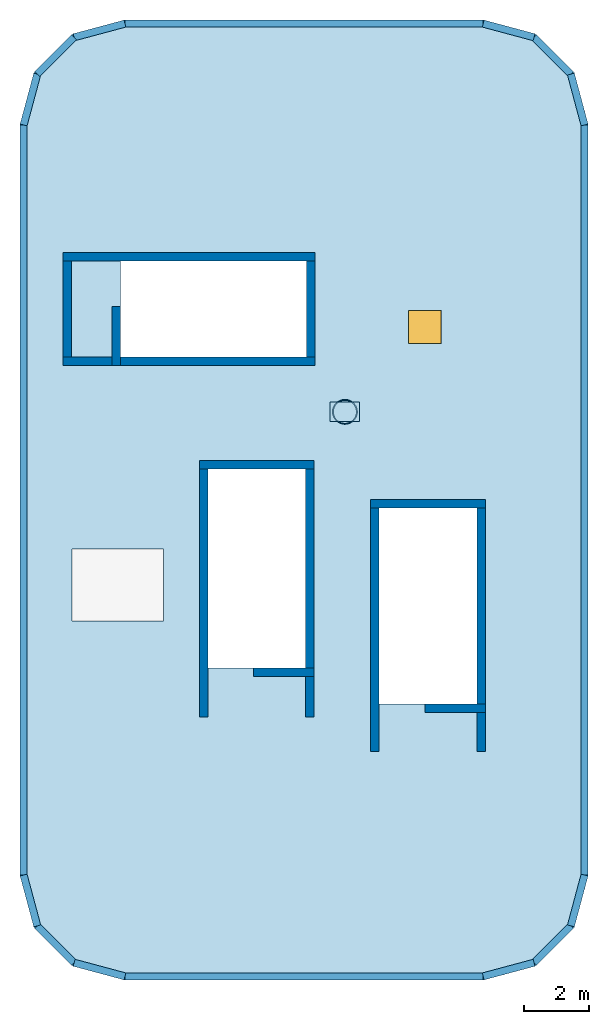
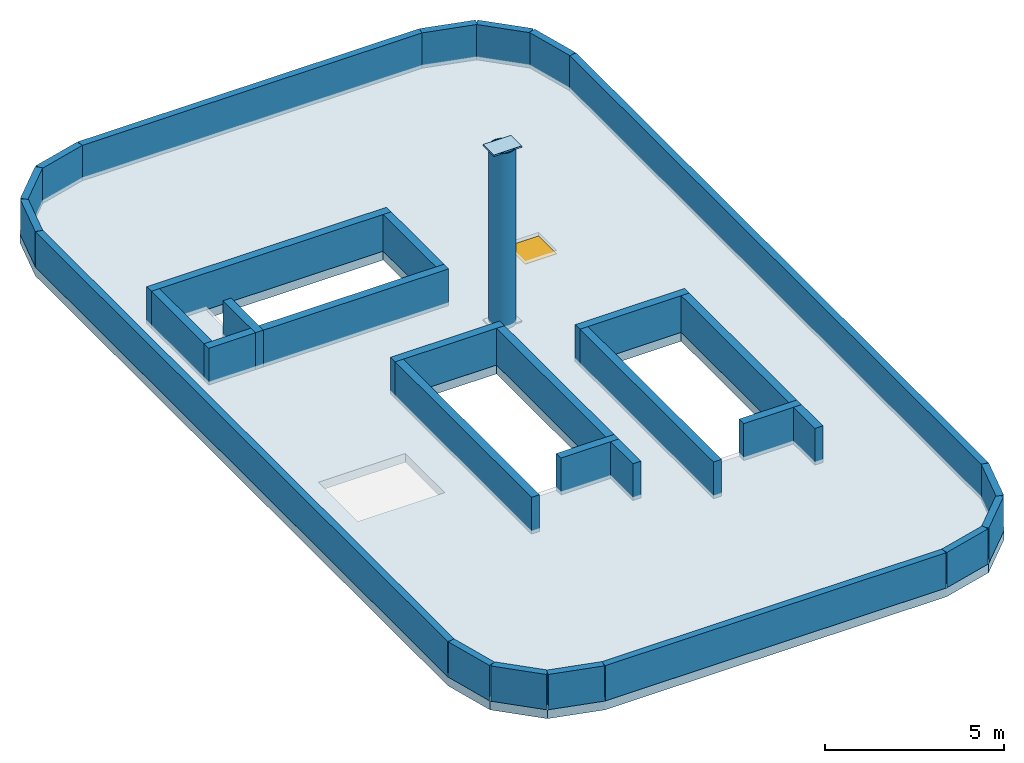
# One storey, part 1 of 2: 29 walls, 2 plates, 1 door, 1 member, 1 slab, 1 opening.
"""IFC4 building model written with IfcOpenShell, lengths in metres."""

from ifc_helpers import new_model, si_unit, direction, frame, frame_2d, origin, origin_2d, place, context, subcontext, project, spatial, polyline, rectangle, hollow_circle, outline, extrude, material, layer, layer_set, material_profile, profile_set, type_object, element, fill, save


model = new_model("IFC4")

# Units and contexts
model_context = context("Model", 3, precision=1e-05, world=origin(), true_north=direction((0.0, 1.0)))
body_context = subcontext(model_context, "Body", "Model", "MODEL_VIEW")
ifc_project = project(units=[si_unit("LENGTHUNIT", "METRE"), si_unit("AREAUNIT", "SQUARE_METRE"), si_unit("VOLUMEUNIT", "CUBIC_METRE"), si_unit("PLANEANGLEUNIT", "RADIAN"), si_unit("MASSUNIT", "GRAM", prefix="KILO")], contexts=[model_context])

# Site, building, storey
site_placement = place(None, origin())
site = spatial("IfcSite", under=ifc_project, at=site_placement, CompositionType="ELEMENT")
building_placement = place(site_placement, origin())
building = spatial("IfcBuilding", under=site, at=building_placement, Name="Kiyonajd Concourse Tower", CompositionType="ELEMENT")
storey_placement = place(building_placement, frame((0.0, 0.0, 377.10009765625)))
storey = spatial("IfcBuildingStorey", under=building, at=storey_placement, Name="ROOF", CompositionType="ELEMENT", Elevation=377.10009765625)

# Member
ifc_material_1 = material(Name="Steel ASTM A572 Grade 50", Category="steel")
ifc_material_profile = material_profile(ifc_material_1, hollow_circle(Radius=0.381103515625, WallThickness=0.028076171875, at=origin_2d()), Name="CHS-762x28")
ifc_profile_set = profile_set([ifc_material_profile], Name="Steel ASTM A572 Grade 50")
member_type = type_object("IfcMemberType", Name="MB-SPIRE-MST", PredefinedType="USERDEFINED", material=ifc_profile_set)
member_placement = place(storey_placement, frame((63.35009765625, 38.39990234375, 0.0), z_axis=(0.0, 0.0, 1.0), x_axis=(1.0, 0.0, 0.0)))
element("IfcMember", 1, at=member_placement, inside=storey, type_object=member_type, Name="Architectural Crown Mast SL1", ObjectType="MAST", PredefinedType="USERDEFINED", context=body_context, shape_type="SweptSolid", body=[
    extrude(hollow_circle(Radius=0.381103515625, WallThickness=0.028076171875, at=origin_2d()), origin(), (0.0, 0.0, 1.0), 5.974853515625),
])

# Plates
ifc_layer_1 = layer(ifc_material_1, 0.050048828125)
ifc_layer_set_1 = layer_set([ifc_layer_1], Name="Steel ASTM A572 Grade 50")
plate_type = type_object("IfcPlateType", Name="PL-BASE-900", PredefinedType="SHEET", material=ifc_layer_set_1)
for number, where, z_axis, x_axis, name in (
    (2, (63.35009765625, 38.39990234375, 0.0), (0.0, 0.0, 1.0), (1.0, 0.0, 0.0), "Spire Mast SL1 Anchor Base Plate"),
    (3, (63.35009765625, 38.39990234375, 5.94970703125), (0.0, 0.0, 1.0), (1.0, 0.0, 0.0), "Spire Mast SL1 Top Seal Cap Plate"),
):
    element("IfcPlate", number, at=place(storey_placement, frame(where, z_axis=z_axis, x_axis=x_axis)), inside=storey, type_object=plate_type, Name=name, PredefinedType="SHEET", context=body_context, shape_type="SweptSolid", body=[
        extrude(rectangle(XDim=0.89990234375, YDim=0.60009765625, at=origin_2d()), origin(), (0.0, 0.0, 1.0), 0.050048828125),
    ])

# Slab, opening, door
ifc_material_2 = material(Name="Concrete C40/50", Category="concrete")
ifc_layer_2 = layer(ifc_material_2, 0.300048828125)
ifc_layer_set_2 = layer_set([ifc_layer_2], Name="Concrete C40/50")
slab_type = type_object("IfcSlabType", Name="SL-ROOF-300", PredefinedType="ROOF", material=ifc_layer_set_2)
slab_placement = place(storey_placement, frame((0.0, 0.0, -0.300048828125)))
slab = element("IfcSlab", 4, at=slab_placement, inside=storey, type_object=slab_type, Name="ROOF East Crown Main Roof Slab", PredefinedType="ROOF", context=body_context, shape_type="SweptSolid", body=[
    extrude(outline(polyline([(53.39990234375, 24.199951171875), (53.8291015625, 22.60009765625), (55.0, 21.428955078125), (56.60009765625, 21.0), (67.60009765625, 21.0), (69.199951171875, 21.428955078125), (70.37109375, 22.60009765625), (70.800048828125, 24.199951171875), (70.800048828125, 47.199951171875), (70.37109375, 48.800048828125), (69.199951171875, 49.970947265625), (67.60009765625, 50.39990234375), (56.60009765625, 50.39990234375), (55.0, 49.970947265625), (53.8291015625, 48.800048828125), (53.39990234375, 47.199951171875), (53.39990234375, 24.199951171875)]), holes=[polyline([(59.14990234375, 30.550048828125), (59.14990234375, 36.64990234375), (62.14990234375, 36.64990234375), (62.14990234375, 30.550048828125), (59.14990234375, 30.550048828125)]), polyline([(56.47998046875, 43.02001953125), (62.179931640625, 43.02001953125), (62.179931640625, 40.080078125), (56.47998046875, 40.080078125), (56.47998046875, 43.02001953125)]), polyline([(64.39990234375, 29.449951171875), (64.39990234375, 35.449951171875), (67.39990234375, 35.449951171875), (67.39990234375, 29.449951171875), (64.39990234375, 29.449951171875)]), polyline([(55.0, 32.0), (55.0, 34.199951171875), (57.800048828125, 34.199951171875), (57.800048828125, 32.0), (55.0, 32.0)]), polyline([(65.300048828125, 40.5), (66.300048828125, 40.5), (66.300048828125, 41.5), (65.300048828125, 41.5), (65.300048828125, 40.5)])]), origin(), (0.0, 0.0, 1.0), 0.300048828125),
])
opening_placement = place(slab_placement, frame((65.800048828125, 41.0, 0.0)))
opening = element("IfcOpeningElement", 5, at=opening_placement, cuts=slab, Name="Opening RHT1", PredefinedType="OPENING", context=body_context, shape_type="SweptSolid", body=[
    extrude(rectangle(XDim=1.00390625, YDim=1.00390625, at=origin_2d()), frame((0.0, 0.0, -0.010009765625)), (0.0, 0.0, 1.0), 0.320068359375),
])
ifc_material_3 = material(Name="Thermally Broken Anodised Aluminium", Category="aluminium")
door_type = type_object("IfcDoorType", Name="DR-HATCH-RHT1", OperationType="NOTDEFINED", PredefinedType="TRAPDOOR", material=ifc_material_3)
door_placement = place(opening_placement, frame((0.0, 0.0, 0.25)))
door = element("IfcDoor", 6, at=door_placement, inside=storey, type_object=door_type, Name="ROOF East Crown Roof Access Hatch RHT1", OperationType="SINGLE_SWING_LEFT", OverallHeight=1.0, OverallWidth=1.0, PredefinedType="TRAPDOOR", context=body_context, shape_type="SweptSolid", body=[
    extrude(rectangle(XDim=1.0, YDim=1.0, at=origin_2d()), origin(), (0.0, 0.0, 1.0), 0.050048828125),
])
fill(opening, door)

# Walls
ifc_material_4 = material(Name="Precast concrete C50/60", Category="concrete")
ifc_layer_3 = layer(ifc_material_4, 0.219970703125)
ifc_layer_set_3 = layer_set([ifc_layer_3], Name="Precast concrete C50/60")
wall_type_1 = type_object("IfcWallType", Name="WL-PAR-220", PredefinedType="PARAPET", material=ifc_layer_set_3)
wall_1_placement = place(storey_placement, frame((53.510009765625, 24.214599609375, 0.0), z_axis=(0.0, 0.0, 1.0), x_axis=(0.0, 1.0, 0.0)))
element("IfcWall", 7, at=wall_1_placement, inside=storey, type_object=wall_type_1, Name="ROOF Roof Parapet Wall 01", PredefinedType="PARAPET", context=body_context, shape_type="SweptSolid", body=[
    extrude(rectangle(XDim=22.970947265625, YDim=0.219970703125, at=frame_2d((11.4853515625, 0.0))), origin(), (0.0, 0.0, 1.0), 1.199951171875),
])
wall_2_placement = place(storey_placement, frame((53.510009765625, 47.185546875, 0.0), z_axis=(0.0, 0.0, 1.0), x_axis=(0.258887433163, 0.965907499169, 0.0)))
element("IfcWall", 8, at=wall_2_placement, inside=storey, type_object=wall_type_1, Name="ROOF Roof Parapet Wall 02", PredefinedType="PARAPET", context=body_context, shape_type="SweptSolid", body=[
    extrude(rectangle(XDim=1.612548828125, YDim=0.219970703125, at=frame_2d((0.80615234375, 0.0))), origin(), (0.0, 0.0, 1.0), 1.199951171875),
])
wall_3_placement = place(storey_placement, frame((53.927490234375, 48.7431640625, 0.0), z_axis=(0.0, 0.0, 1.0), x_axis=(0.707183212768, 0.707030341343, 0.0)))
element("IfcWall", 9, at=wall_3_placement, inside=storey, type_object=wall_type_1, Name="ROOF Roof Parapet Wall 03", PredefinedType="PARAPET", context=body_context, shape_type="SweptSolid", body=[
    extrude(rectangle(XDim=1.596923828125, YDim=0.219970703125, at=frame_2d((0.79833984375, 0.0))), origin(), (0.0, 0.0, 1.0), 1.199951171875),
])
wall_4_placement = place(storey_placement, frame((55.056884765625, 49.872314453125, 0.0), z_axis=(0.0, 0.0, 1.0), x_axis=(0.965869632003, 0.259028674037, 0.0)))
element("IfcWall", 10, at=wall_4_placement, inside=storey, type_object=wall_type_1, Name="ROOF Roof Parapet Wall 04", PredefinedType="PARAPET", context=body_context, shape_type="SweptSolid", body=[
    extrude(rectangle(XDim=1.612548828125, YDim=0.219970703125, at=frame_2d((0.80615234375, 0.0))), origin(), (0.0, 0.0, 1.0), 1.199951171875),
])
wall_5_placement = place(storey_placement, frame((56.614501953125, 50.2900390625, 0.0), z_axis=(0.0, 0.0, 1.0), x_axis=(1.0, 0.0, 0.0)))
element("IfcWall", 11, at=wall_5_placement, inside=storey, type_object=wall_type_1, Name="ROOF Roof Parapet Wall 05", PredefinedType="PARAPET", context=body_context, shape_type="SweptSolid", body=[
    extrude(rectangle(XDim=10.970947265625, YDim=0.219970703125, at=frame_2d((5.4853515625, 0.0))), origin(), (0.0, 0.0, 1.0), 1.199951171875),
])
wall_6_placement = place(storey_placement, frame((67.58544921875, 50.2900390625, 0.0), z_axis=(0.0, 0.0, 1.0), x_axis=(0.965869632003, -0.259028674037, 0.0)))
element("IfcWall", 12, at=wall_6_placement, inside=storey, type_object=wall_type_1, Name="ROOF Roof Parapet Wall 06", PredefinedType="PARAPET", context=body_context, shape_type="SweptSolid", body=[
    extrude(rectangle(XDim=1.612548828125, YDim=0.219970703125, at=frame_2d((0.80615234375, 0.0))), origin(), (0.0, 0.0, 1.0), 1.199951171875),
])
wall_7_placement = place(storey_placement, frame((69.14306640625, 49.872314453125, 0.0), z_axis=(0.0, 0.0, 1.0), x_axis=(0.707183212768, -0.707030341343, 0.0)))
element("IfcWall", 13, at=wall_7_placement, inside=storey, type_object=wall_type_1, Name="ROOF Roof Parapet Wall 07", PredefinedType="PARAPET", context=body_context, shape_type="SweptSolid", body=[
    extrude(rectangle(XDim=1.596923828125, YDim=0.219970703125, at=frame_2d((0.79833984375, 0.0))), origin(), (0.0, 0.0, 1.0), 1.199951171875),
])
wall_8_placement = place(storey_placement, frame((70.2724609375, 48.7431640625, 0.0), z_axis=(0.0, 0.0, 1.0), x_axis=(0.258887433163, -0.965907499169, 0.0)))
element("IfcWall", 14, at=wall_8_placement, inside=storey, type_object=wall_type_1, Name="ROOF Roof Parapet Wall 08", PredefinedType="PARAPET", context=body_context, shape_type="SweptSolid", body=[
    extrude(rectangle(XDim=1.612548828125, YDim=0.219970703125, at=frame_2d((0.80615234375, 0.0))), origin(), (0.0, 0.0, 1.0), 1.199951171875),
])
wall_9_placement = place(storey_placement, frame((70.68994140625, 47.185546875, 0.0), z_axis=(0.0, 0.0, 1.0), x_axis=(0.0, -1.0, 0.0)))
element("IfcWall", 15, at=wall_9_placement, inside=storey, type_object=wall_type_1, Name="ROOF Roof Parapet Wall 09", PredefinedType="PARAPET", context=body_context, shape_type="SweptSolid", body=[
    extrude(rectangle(XDim=22.970947265625, YDim=0.219970703125, at=frame_2d((11.4853515625, 0.0))), origin(), (0.0, 0.0, 1.0), 1.199951171875),
])
wall_10_placement = place(storey_placement, frame((70.68994140625, 24.214599609375, 0.0), z_axis=(0.0, 0.0, 1.0), x_axis=(-0.258887433163, -0.965907499169, 0.0)))
element("IfcWall", 16, at=wall_10_placement, inside=storey, type_object=wall_type_1, Name="ROOF Roof Parapet Wall 10", PredefinedType="PARAPET", context=body_context, shape_type="SweptSolid", body=[
    extrude(rectangle(XDim=1.612548828125, YDim=0.219970703125, at=frame_2d((0.80615234375, 0.0))), origin(), (0.0, 0.0, 1.0), 1.199951171875),
])
wall_11_placement = place(storey_placement, frame((70.2724609375, 22.656982421875, 0.0), z_axis=(0.0, 0.0, 1.0), x_axis=(-0.707106781187, -0.707106781187, 0.0)))
element("IfcWall", 17, at=wall_11_placement, inside=storey, type_object=wall_type_1, Name="ROOF Roof Parapet Wall 11", PredefinedType="PARAPET", context=body_context, shape_type="SweptSolid", body=[
    extrude(rectangle(XDim=1.59716796875, YDim=0.219970703125, at=frame_2d((0.798583984375, 0.0))), origin(), (0.0, 0.0, 1.0), 1.199951171875),
])
wall_12_placement = place(storey_placement, frame((69.14306640625, 21.527587890625, 0.0), z_axis=(0.0, 0.0, 1.0), x_axis=(-0.965907499169, -0.258887433163, 0.0)))
element("IfcWall", 18, at=wall_12_placement, inside=storey, type_object=wall_type_1, Name="ROOF Roof Parapet Wall 12", PredefinedType="PARAPET", context=body_context, shape_type="SweptSolid", body=[
    extrude(rectangle(XDim=1.612548828125, YDim=0.219970703125, at=frame_2d((0.80615234375, 0.0))), origin(), (0.0, 0.0, 1.0), 1.199951171875),
])
wall_13_placement = place(storey_placement, frame((67.58544921875, 21.110107421875, 0.0), z_axis=(0.0, 0.0, 1.0), x_axis=(-1.0, 0.0, 0.0)))
element("IfcWall", 19, at=wall_13_placement, inside=storey, type_object=wall_type_1, Name="ROOF Roof Parapet Wall 13", PredefinedType="PARAPET", context=body_context, shape_type="SweptSolid", body=[
    extrude(rectangle(XDim=10.970947265625, YDim=0.219970703125, at=frame_2d((5.4853515625, 0.0))), origin(), (0.0, 0.0, 1.0), 1.199951171875),
])
wall_14_placement = place(storey_placement, frame((56.614501953125, 21.110107421875, 0.0), z_axis=(0.0, 0.0, 1.0), x_axis=(-0.965907499169, 0.258887433163, 0.0)))
element("IfcWall", 20, at=wall_14_placement, inside=storey, type_object=wall_type_1, Name="ROOF Roof Parapet Wall 14", PredefinedType="PARAPET", context=body_context, shape_type="SweptSolid", body=[
    extrude(rectangle(XDim=1.612548828125, YDim=0.219970703125, at=frame_2d((0.80615234375, 0.0))), origin(), (0.0, 0.0, 1.0), 1.199951171875),
])
wall_15_placement = place(storey_placement, frame((55.056884765625, 21.527587890625, 0.0), z_axis=(0.0, 0.0, 1.0), x_axis=(-0.707106781187, 0.707106781187, 0.0)))
element("IfcWall", 21, at=wall_15_placement, inside=storey, type_object=wall_type_1, Name="ROOF Roof Parapet Wall 15", PredefinedType="PARAPET", context=body_context, shape_type="SweptSolid", body=[
    extrude(rectangle(XDim=1.59716796875, YDim=0.219970703125, at=frame_2d((0.798583984375, 0.0))), origin(), (0.0, 0.0, 1.0), 1.199951171875),
])
wall_16_placement = place(storey_placement, frame((53.927490234375, 22.656982421875, 0.0), z_axis=(0.0, 0.0, 1.0), x_axis=(-0.258887433163, 0.965907499169, 0.0)))
element("IfcWall", 22, at=wall_16_placement, inside=storey, type_object=wall_type_1, Name="ROOF Roof Parapet Wall 16", PredefinedType="PARAPET", context=body_context, shape_type="SweptSolid", body=[
    extrude(rectangle(XDim=1.612548828125, YDim=0.219970703125, at=frame_2d((0.80615234375, 0.0))), origin(), (0.0, 0.0, 1.0), 1.199951171875),
])
ifc_material_5 = material(Name="Concrete C50/60", Category="concrete")
ifc_layer_4 = layer(ifc_material_5, 0.260009765625)
ifc_layer_set_4 = layer_set([ifc_layer_4], Name="Concrete C50/60")
wall_type_2 = type_object("IfcWallType", Name="WL-STAIR-260", PredefinedType="SHEAR", material=ifc_layer_set_4)
wall_17_placement = place(storey_placement, frame((58.889892578125, 36.780029296875, 0.0), z_axis=(0.0, 0.0, 1.0), x_axis=(1.0, 0.0, 0.0)))
element("IfcWall", 23, at=wall_17_placement, inside=storey, type_object=wall_type_2, Name="ROOF Stair ST2 Roof Well Guard Wall", PredefinedType="SHEAR", context=body_context, shape_type="SweptSolid", body=[
    extrude(rectangle(XDim=3.52001953125, YDim=0.260009765625, at=frame_2d((1.760009765625, 0.0))), origin(), (0.0, 0.0, 1.0), 1.25),
])
for number, where, z_axis, x_axis, name in (
    (24, (59.02001953125, 29.050048828125, 0.0), (0.0, 0.0, 1.0), (0.0, 1.0, 0.0), "ROOF Stair ST2 Roof Well Guard Wall"),
    (25, (62.280029296875, 29.050048828125, 0.0), (0.0, 0.0, 1.0), (0.0, 1.0, 0.0), "ROOF Stair ST2 Roof Well Guard Wall"),
):
    element("IfcWall", number, at=place(storey_placement, frame(where, z_axis=z_axis, x_axis=x_axis)), inside=storey, type_object=wall_type_2, Name=name, PredefinedType="SHEAR", context=body_context, shape_type="SweptSolid", body=[
        extrude(rectangle(XDim=7.599853515625, YDim=0.260009765625, at=frame_2d((3.7998046875, 0.0))), origin(), (0.0, 0.0, 1.0), 1.25),
    ])
wall_18_placement = place(storey_placement, frame((60.550048828125, 30.419921875, 0.0), z_axis=(0.0, 0.0, 1.0), x_axis=(1.0, 0.0, 0.0)))
element("IfcWall", 26, at=wall_18_placement, inside=storey, type_object=wall_type_2, Name="ROOF Stair ST2 Well Curb Wall", PredefinedType="SHEAR", context=body_context, shape_type="SweptSolid", body=[
    extrude(rectangle(XDim=1.85986328125, YDim=0.260009765625, at=frame_2d((0.929931640625, 0.0))), origin(), (0.0, 0.0, 1.0), 1.25),
])
wall_19_placement = place(storey_placement, frame((54.719970703125, 43.14990234375, 0.0), z_axis=(0.0, 0.0, 1.0), x_axis=(1.0, 0.0, 0.0)))
element("IfcWall", 27, at=wall_19_placement, inside=storey, type_object=wall_type_2, Name="ROOF Stair ST3 Roof Well Guard Wall", PredefinedType="SHEAR", context=body_context, shape_type="SweptSolid", body=[
    extrude(rectangle(XDim=7.719970703125, YDim=0.260009765625, at=frame_2d((3.85986328125, 0.0))), origin(), (0.0, 0.0, 1.0), 1.25),
])
for number, where, z_axis, x_axis, name in (
    (28, (54.85009765625, 40.080078125, 0.0), (0.0, 0.0, 1.0), (0.0, 1.0, 0.0), "ROOF Stair ST3 Roof Well Guard Wall"),
    (29, (62.31005859375, 40.080078125, 0.0), (0.0, 0.0, 1.0), (0.0, 1.0, 0.0), "ROOF Stair ST3 Roof Well Guard Wall"),
):
    element("IfcWall", number, at=place(storey_placement, frame(where, z_axis=z_axis, x_axis=x_axis)), inside=storey, type_object=wall_type_2, Name=name, PredefinedType="SHEAR", context=body_context, shape_type="SweptSolid", body=[
        extrude(rectangle(XDim=2.93994140625, YDim=0.260009765625, at=frame_2d((1.469970703125, 0.0))), origin(), (0.0, 0.0, 1.0), 1.25),
    ])
wall_20_placement = place(storey_placement, frame((54.719970703125, 39.949951171875, 0.0), z_axis=(0.0, 0.0, 1.0), x_axis=(1.0, 0.0, 0.0)))
element("IfcWall", 30, at=wall_20_placement, inside=storey, type_object=wall_type_2, Name="ROOF Stair ST3 Roof Well South Wall", PredefinedType="SHEAR", context=body_context, shape_type="SweptSolid", body=[
    extrude(rectangle(XDim=7.719970703125, YDim=0.260009765625, at=frame_2d((3.85986328125, 0.0))), origin(), (0.0, 0.0, 1.0), 1.25),
])
wall_21_placement = place(storey_placement, frame((56.35009765625, 39.820068359375, 0.0), z_axis=(0.0, 0.0, 1.0), x_axis=(0.0, 1.0, 0.0)))
element("IfcWall", 31, at=wall_21_placement, inside=storey, type_object=wall_type_2, Name="ROOF Stair ST3 Well Curb Wall", PredefinedType="SHEAR", context=body_context, shape_type="SweptSolid", body=[
    extrude(rectangle(XDim=1.800048828125, YDim=0.260009765625, at=frame_2d((0.89990234375, 0.0))), origin(), (0.0, 0.0, 1.0), 1.25),
])
wall_22_placement = place(storey_placement, frame((64.139892578125, 35.580078125, 0.0), z_axis=(0.0, 0.0, 1.0), x_axis=(1.0, 0.0, 0.0)))
element("IfcWall", 32, at=wall_22_placement, inside=storey, type_object=wall_type_2, Name="ROOF Stair ST6 Roof Well Guard Wall", PredefinedType="SHEAR", context=body_context, shape_type="SweptSolid", body=[
    extrude(rectangle(XDim=3.52001953125, YDim=0.260009765625, at=frame_2d((1.760009765625, 0.0))), origin(), (0.0, 0.0, 1.0), 1.25),
])
for number, where, z_axis, x_axis, name in (
    (33, (64.27001953125, 28.0, 0.0), (0.0, 0.0, 1.0), (0.0, 1.0, 0.0), "ROOF Stair ST6 Roof Well Guard Wall"),
    (34, (67.530029296875, 28.0, 0.0), (0.0, 0.0, 1.0), (0.0, 1.0, 0.0), "ROOF Stair ST6 Roof Well Guard Wall"),
):
    element("IfcWall", number, at=place(storey_placement, frame(where, z_axis=z_axis, x_axis=x_axis)), inside=storey, type_object=wall_type_2, Name=name, PredefinedType="SHEAR", context=body_context, shape_type="SweptSolid", body=[
        extrude(rectangle(XDim=7.449951171875, YDim=0.260009765625, at=frame_2d((3.72509765625, 0.0))), origin(), (0.0, 0.0, 1.0), 1.25),
    ])
wall_23_placement = place(storey_placement, frame((65.800048828125, 29.320068359375, 0.0), z_axis=(0.0, 0.0, 1.0), x_axis=(1.0, 0.0, 0.0)))
element("IfcWall", 35, at=wall_23_placement, inside=storey, type_object=wall_type_2, Name="ROOF Stair ST6 Well Curb Wall", PredefinedType="SHEAR", context=body_context, shape_type="SweptSolid", body=[
    extrude(rectangle(XDim=1.85986328125, YDim=0.260009765625, at=frame_2d((0.929931640625, 0.0))), origin(), (0.0, 0.0, 1.0), 1.25),
])

save(model, "model.ifc")
